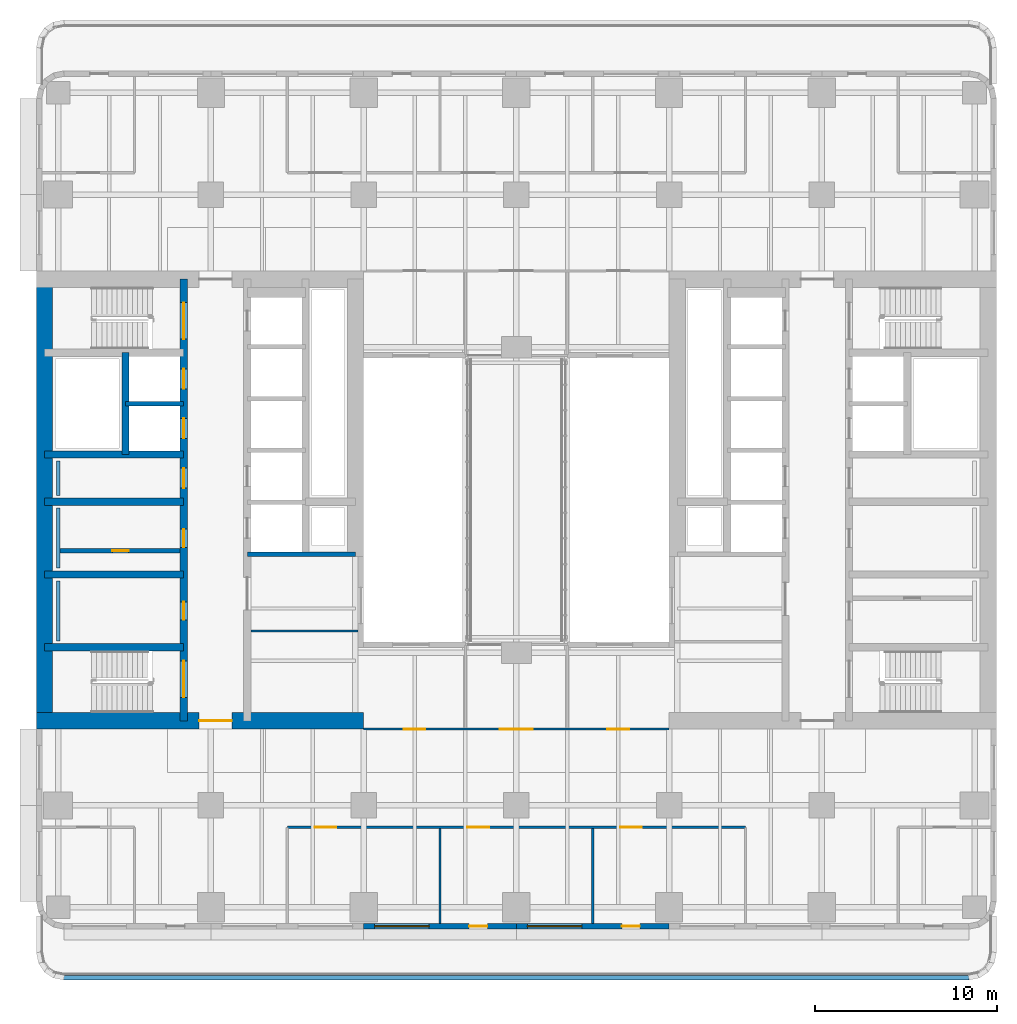
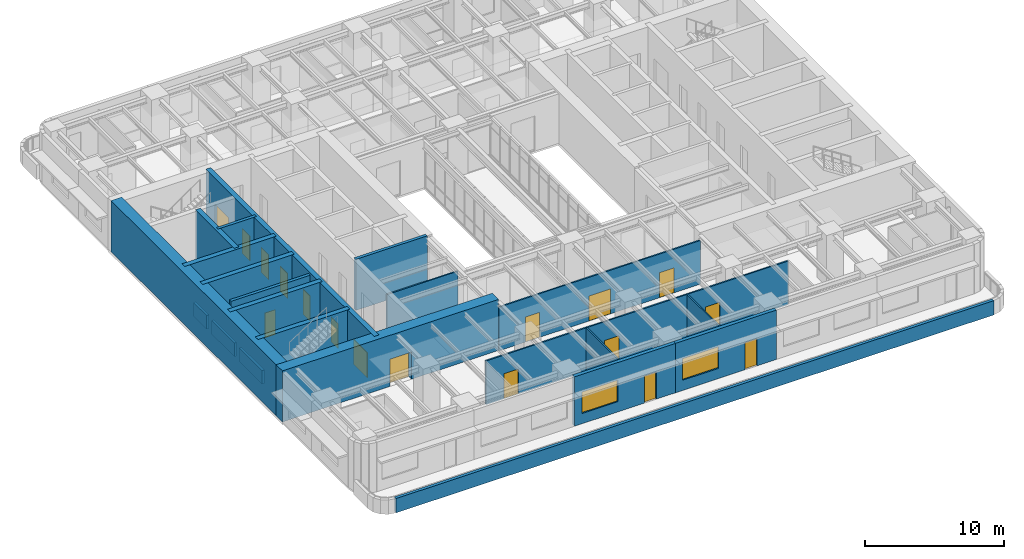
# One storey, part 8 of 17: 22 walls, 17 doors, 2 windows, 19 openings.
"""IFC4 building model written with IfcOpenShell, lengths in metres."""

import ifcopenshell
import ifcopenshell.guid

model = None  # the IFC model being written
_history = None  # IfcOwnerHistory: only IFC2X3 demands one
_inside = {}  # id of a spatial element -> (the spatial element, [elements in it])
_under = {}  # id of a project, library or spatial element -> (it, [spatial elements below it])
_declared = {}  # id of a project -> (the project, [libraries it declares])
_typed = {}  # id of a type object -> (the type object, [elements of that type])
_made_of = {}  # id of a material, layer set ... -> (it, [elements and type objects made of it])


def new_model(schema):
    """Start an empty IFC model of exactly this schema.

    Asked for "IFC4X3", IfcOpenShell would pick the latest addendum, in which some entities
    have other attributes; the version numbers below select the first issue.
    IFC2X3 requires an IfcOwnerHistory on every rooted entity: one is made here for all.
    """
    global model, _history
    if schema == "IFC4X3":
        model = ifcopenshell.file(schema_version=(4, 3, 0, 0))
    else:
        model = ifcopenshell.file(schema=schema)
    _inside.clear()
    _under.clear()
    _declared.clear()
    _typed.clear()
    _made_of.clear()
    _history = None
    if model.schema == "IFC2X3":
        org = make("IfcOrganization", Name="unknown")
        user = make(
            "IfcPersonAndOrganization",
            ThePerson=make("IfcPerson", FamilyName="unknown"),
            TheOrganization=org,
        )
        app = make(
            "IfcApplication",
            ApplicationDeveloper=org,
            Version="unknown",
            ApplicationFullName="unknown",
            ApplicationIdentifier="unknown",
        )
        _history = make(
            "IfcOwnerHistory",
            OwningUser=user,
            OwningApplication=app,
            ChangeAction="ADDED",
            CreationDate=0,
        )
    return model


def make(cls, **values):
    """One entity of the class cls with the attributes given. An attribute that is None is left unset."""
    return model.create_entity(
        cls, **{name: value for name, value in values.items() if value is not None}
    )


def rooted(cls, **values):
    """An entity with a GlobalId (a new one), such as an element, a storey or a relation."""
    return make(cls, GlobalId=ifcopenshell.guid.new(), OwnerHistory=_history, **values)


def si_unit(unit_type, name, prefix=None):
    """IfcSIUnit, for example si_unit("LENGTHUNIT", "METRE", prefix="MILLI")."""
    return make("IfcSIUnit", UnitType=unit_type, Prefix=prefix, Name=name)


def assignment(units):
    """IfcUnitAssignment: the units of a project."""
    return None if units is None else make("IfcUnitAssignment", Units=units)


def point(xyz):
    """IfcCartesianPoint."""
    return None if xyz is None else make("IfcCartesianPoint", Coordinates=xyz)


def direction(xyz):
    """IfcDirection."""
    return None if xyz is None else make("IfcDirection", DirectionRatios=xyz)


def frame(location, z_axis=None, x_axis=None):
    """IfcAxis2Placement3D, a coordinate frame: its origin and axes. An axis left out is left unset."""
    return make(
        "IfcAxis2Placement3D",
        Location=point(location),
        Axis=direction(z_axis),
        RefDirection=direction(x_axis),
    )


def frame_2d(location, x_axis=None):
    """IfcAxis2Placement2D, a coordinate frame in the plane: its origin and x axis."""
    return make(
        "IfcAxis2Placement2D", Location=point(location), RefDirection=direction(x_axis)
    )


def origin():
    """The frame at (0, 0, 0) with its axes left unset."""
    return frame((0.0, 0.0, 0.0))


def place(relative_to, where):
    """IfcLocalPlacement: puts the frame where relative to a parent placement (None: the world)."""
    return make(
        "IfcLocalPlacement", PlacementRelTo=relative_to, RelativePlacement=where
    )


def context(
    kind, dimensions, precision=None, world=None, true_north=None, identifier=None
):
    """IfcGeometricRepresentationContext, for example the 3D "Model" context."""
    return make(
        "IfcGeometricRepresentationContext",
        ContextIdentifier=identifier,
        ContextType=kind,
        CoordinateSpaceDimension=dimensions,
        Precision=precision,
        WorldCoordinateSystem=world,
        TrueNorth=true_north,
    )


def subcontext(parent, identifier, kind, view, scale=None):
    """IfcGeometricRepresentationSubContext, for example "Body" below "Model"."""
    return make(
        "IfcGeometricRepresentationSubContext",
        ContextIdentifier=identifier,
        ContextType=kind,
        ParentContext=parent,
        TargetScale=scale,
        TargetView=view,
    )


def project(units=None, contexts=None):
    """IfcProject with its units and contexts."""
    return rooted(
        "IfcProject",
        Name="project",
        RepresentationContexts=contexts,
        UnitsInContext=assignment(units),
    )


def spatial(cls, under=None, at=None, **own):
    """A site, building, storey or space (cls), placed at a placement, below another one or the project."""
    s = rooted(cls, ObjectPlacement=at, **own)
    if under is not None:
        _under.setdefault(under.id(), (under, []))[1].append(s)
    return s


def profile(cls, at=None, kind="AREA", **sizes):
    """A parametric profile (cls). Its sizes go by their IFC names, for example OverallWidth=200.0."""
    return make(cls, ProfileType=kind, Position=at, **sizes)


def rectangle(**sizes):
    """IfcRectangleProfileDef."""
    return profile("IfcRectangleProfileDef", **sizes)


def extrude(swept, where, along, depth):
    """IfcExtrudedAreaSolid: the profile swept, set in the frame where, extruded along a direction by depth."""
    return make(
        "IfcExtrudedAreaSolid",
        SweptArea=swept,
        Position=where,
        ExtrudedDirection=direction(along),
        Depth=depth,
    )


def shape(context_of_items, identifier, shape_type, items):
    """IfcShapeRepresentation: the items that make up one representation, for example the "Body"."""
    return make(
        "IfcShapeRepresentation",
        ContextOfItems=context_of_items,
        RepresentationIdentifier=identifier,
        RepresentationType=shape_type,
        Items=items,
    )


def material(Name=None, Category=None):
    """IfcMaterial."""
    return make("IfcMaterial", Name=Name, Category=Category)


def layer(
    of_material, thickness, ventilated=None, Name=None, Category=None, Priority=None
):
    """IfcMaterialLayer: one layer of a wall or slab, of a material (None: an air gap)."""
    return make(
        "IfcMaterialLayer",
        Material=of_material,
        LayerThickness=thickness,
        IsVentilated=ventilated,
        Name=Name,
        Category=Category,
        Priority=Priority,
    )


def layer_set(layers, Name=None):
    """IfcMaterialLayerSet."""
    return make("IfcMaterialLayerSet", MaterialLayers=layers, LayerSetName=Name)


def made_of(thing, what):
    """Note that an element or type object is made of a material, layer set ...; save() writes the relation."""
    if what is not None:
        _made_of.setdefault(what.id(), (what, []))[1].append(thing)
    return thing


def type_object(cls, material=None, **own):
    """A type object (cls), such as IfcWallType, which elements share."""
    return made_of(rooted(cls, **own), material)


def element(
    cls,
    number,
    at=None,
    inside=None,
    cuts=None,
    type_object=None,
    material=None,
    context=None,
    identifier="Body",
    shape_type=None,
    held_by="IfcProductDefinitionShape",
    body=None,
    shapes=None,
    **own,
):
    """One element of the class cls, such as IfcWall. Its Tag is "e" and its number.

    at: its placement. inside: the storey or other place that contains it. cuts: it is an
    opening in that element (IfcRelVoidsElement). A single representation is given by context,
    identifier, shape_type and body (its items); several are given by shapes. held_by: the class
    of the entity that holds the representations. save() writes the other relations.
    """
    e = rooted(cls, Tag="e%d" % number, ObjectPlacement=at, **own)
    if body is not None:
        shapes = [shape(context, identifier, shape_type, body)]
    if shapes is not None:
        e.Representation = make(held_by, Representations=shapes)
    if inside is not None:
        _inside.setdefault(inside.id(), (inside, []))[1].append(e)
    if cuts is not None:
        rooted(
            "IfcRelVoidsElement", RelatingBuildingElement=cuts, RelatedOpeningElement=e
        )
    if type_object is not None:
        _typed.setdefault(type_object.id(), (type_object, []))[1].append(e)
    return made_of(e, material)


def fill(opening, filler):
    """IfcRelFillsElement: the door or window that sits in an opening."""
    return rooted(
        "IfcRelFillsElement",
        RelatingOpeningElement=opening,
        RelatedBuildingElement=filler,
    )


def aggregate(whole, parts):
    """IfcRelAggregates: a whole, such as a stair, and the parts it consists of."""
    return rooted("IfcRelAggregates", RelatingObject=whole, RelatedObjects=parts)


def save(model, path):
    """Write the relations noted so far, then the file.

    IfcRelAggregates (storeys below a building ...), IfcRelContainedInSpatialStructure (elements
    in a storey), IfcRelDefinesByType, IfcRelAssociatesMaterial and IfcRelDeclares: one each for
    every whole, place, type object, material and project.
    """
    for whole, parts in _under.values():
        aggregate(whole, parts)
    for where, things in _inside.values():
        rooted(
            "IfcRelContainedInSpatialStructure",
            RelatedElements=things,
            RelatingStructure=where,
        )
    for kind, things in _typed.values():
        rooted("IfcRelDefinesByType", RelatedObjects=things, RelatingType=kind)
    for what, things in _made_of.values():
        rooted("IfcRelAssociatesMaterial", RelatedObjects=things, RelatingMaterial=what)
    for by, libraries in _declared.values():
        rooted("IfcRelDeclares", RelatingContext=by, RelatedDefinitions=libraries)
    model.write(path)


model = new_model("IFC4")

# Units and contexts
model_context = context("Model", 3, precision=1e-05, world=origin(), true_north=direction((0.0, 1.0)))
body_context = subcontext(model_context, "Body", "Model", "MODEL_VIEW")
ifc_project = project(units=[si_unit("LENGTHUNIT", "METRE"), si_unit("AREAUNIT", "SQUARE_METRE"), si_unit("VOLUMEUNIT", "CUBIC_METRE"), si_unit("PLANEANGLEUNIT", "RADIAN"), si_unit("MASSUNIT", "GRAM", prefix="KILO")], contexts=[model_context])

# Site, building, storey
site_placement = place(None, origin())
site = spatial("IfcSite", under=ifc_project, at=site_placement, CompositionType="ELEMENT")
building_placement = place(site_placement, origin())
building = spatial("IfcBuilding", under=site, at=building_placement, Name="Claustro Exchange Tower", CompositionType="ELEMENT")
storey_placement = place(building_placement, frame((0.0, 0.0, 96.300048828125)))
storey = spatial("IfcBuildingStorey", under=building, at=storey_placement, Name="L21", CompositionType="ELEMENT", Elevation=96.300048828125)

# Wall
ifc_material_1 = material(Name="Laminated glass in aluminium frame", Category="aluminium")
ifc_layer_1 = layer(ifc_material_1, 0.1201171875)
ifc_layer_set_1 = layer_set([ifc_layer_1], Name="Laminated glass in aluminium frame")
wall_type_1 = type_object("IfcWallType", Name="P2 120 glazed partition", PredefinedType="PARTITIONING", material=ifc_layer_set_1)
wall_1_placement = place(storey_placement, frame((10.597900390625, 18.0, 0.0), z_axis=(0.0, 0.0, 1.0), x_axis=(1.0, 0.0, 0.0)))
element("IfcWall", 1, at=wall_1_placement, inside=storey, type_object=wall_type_1, Name="Partition P2 L21", PredefinedType="PARTITIONING", context=body_context, shape_type="SweptSolid", body=[
    extrude(rectangle(XDim=5.904052734375, YDim=0.1201171875, at=frame_2d((2.9521484375, 0.0))), origin(), (0.0, 0.0, 1.0), 3.849853515625),
])

# Wall, openings, doors
wall_2_placement = place(storey_placement, frame((12.60009765625, 7.199951171875, 0.0), z_axis=(0.0, 0.0, 1.0), x_axis=(1.0, 0.0, 0.0)))
wall_2 = element("IfcWall", 2, at=wall_2_placement, inside=storey, type_object=wall_type_1, Name="Partition P2 L21", PredefinedType="PARTITIONING", context=body_context, shape_type="SweptSolid", body=[
    extrude(rectangle(XDim=25.199951171875, YDim=0.1201171875, at=frame_2d((12.60009765625, 0.0))), origin(), (0.0, 0.0, 1.0), 3.849853515625),
])
opening_1_placement = place(wall_2_placement, frame((1.5, 0.0, 0.0)))
opening_1 = element("IfcOpeningElement", 3, at=opening_1_placement, cuts=wall_2, Name="Opening D6", PredefinedType="OPENING", context=body_context, shape_type="SweptSolid", body=[
    extrude(rectangle(XDim=1.199951171875, YDim=2.199951171875, at=frame_2d((0.60009765625, 1.10009765625))), frame((0.0, 0.070068359375, 0.0), z_axis=(0.0, -1.0, 0.0), x_axis=(1.0, 0.0, 0.0)), (0.0, 0.0, 1.0), 0.14013671875),
])
opening_2_placement = place(wall_2_placement, frame((9.89990234375, 0.0, 0.0)))
opening_2 = element("IfcOpeningElement", 4, at=opening_2_placement, cuts=wall_2, Name="Opening D6", PredefinedType="OPENING", context=body_context, shape_type="SweptSolid", body=[
    extrude(rectangle(XDim=1.199951171875, YDim=2.199951171875, at=frame_2d((0.60009765625, 1.10009765625))), frame((0.0, 0.070068359375, 0.0), z_axis=(0.0, -1.0, 0.0), x_axis=(1.0, 0.0, 0.0)), (0.0, 0.0, 1.0), 0.14013671875),
])
opening_3_placement = place(wall_2_placement, frame((18.300048828125, 0.0, 0.0)))
opening_3 = element("IfcOpeningElement", 5, at=opening_3_placement, cuts=wall_2, Name="Opening D6", PredefinedType="OPENING", context=body_context, shape_type="SweptSolid", body=[
    extrude(rectangle(XDim=1.199951171875, YDim=2.199951171875, at=frame_2d((0.60009765625, 1.10009765625))), frame((0.0, 0.070068359375, 0.0), z_axis=(0.0, -1.0, 0.0), x_axis=(1.0, 0.0, 0.0)), (0.0, 0.0, 1.0), 0.14013671875),
])
ifc_material_2 = material(Name="Timber door, oak veneer", Category="wood")
door_type_1 = type_object("IfcDoorType", Name="D6 1200 x 2200 unequal pair door", OperationType="DOUBLE_DOOR_SINGLE_SWING_OPPOSITE_LEFT", PredefinedType="DOOR", material=ifc_material_2)
door_1_placement = place(opening_1_placement, origin())
door_1 = element("IfcDoor", 6, at=door_1_placement, inside=storey, type_object=door_type_1, Name="Door D6 L21", OperationType="DOUBLE_DOOR_SINGLE_SWING_OPPOSITE_LEFT", OverallHeight=2.199951171875, OverallWidth=1.199951171875, PredefinedType="DOOR", context=body_context, shape_type="SweptSolid", body=[
    extrude(rectangle(XDim=1.199951171875, YDim=2.199951171875, at=frame_2d((0.60009765625, 1.10009765625))), frame((0.0, 0.02490234375, 0.0), z_axis=(0.0, -1.0, 0.0), x_axis=(1.0, 0.0, 0.0)), (0.0, 0.0, 1.0), 0.050048828125),
])
fill(opening_1, door_1)
door_2_placement = place(opening_2_placement, origin())
door_2 = element("IfcDoor", 7, at=door_2_placement, inside=storey, type_object=door_type_1, Name="Door D6 L21", OperationType="DOUBLE_DOOR_SINGLE_SWING_OPPOSITE_LEFT", OverallHeight=2.199951171875, OverallWidth=1.199951171875, PredefinedType="DOOR", context=body_context, shape_type="SweptSolid", body=[
    extrude(rectangle(XDim=1.199951171875, YDim=2.199951171875, at=frame_2d((0.60009765625, 1.10009765625))), frame((0.0, 0.02490234375, 0.0), z_axis=(0.0, -1.0, 0.0), x_axis=(1.0, 0.0, 0.0)), (0.0, 0.0, 1.0), 0.050048828125),
])
fill(opening_2, door_2)
door_3_placement = place(opening_3_placement, origin())
door_3 = element("IfcDoor", 8, at=door_3_placement, inside=storey, type_object=door_type_1, Name="Door D6 L21", OperationType="DOUBLE_DOOR_SINGLE_SWING_OPPOSITE_LEFT", OverallHeight=2.199951171875, OverallWidth=1.199951171875, PredefinedType="DOOR", context=body_context, shape_type="SweptSolid", body=[
    extrude(rectangle(XDim=1.199951171875, YDim=2.199951171875, at=frame_2d((0.60009765625, 1.10009765625))), frame((0.0, 0.02490234375, 0.0), z_axis=(0.0, -1.0, 0.0), x_axis=(1.0, 0.0, 0.0)), (0.0, 0.0, 1.0), 0.050048828125),
])
fill(opening_3, door_3)

# Walls
for number, where, z_axis, x_axis, name in (
    (9, (21.0, 1.89794921875, 0.0), (0.0, 0.0, 1.0), (0.0, 1.0, 0.0), "Partition P2 L21"),
    (10, (29.39990234375, 1.89794921875, 0.0), (0.0, 0.0, 1.0), (0.0, 1.0, 0.0), "Partition P2 L21"),
):
    element("IfcWall", number, at=place(storey_placement, frame(where, z_axis=z_axis, x_axis=x_axis)), inside=storey, type_object=wall_type_1, Name=name, PredefinedType="PARTITIONING", context=body_context, shape_type="SweptSolid", body=[
        extrude(rectangle(XDim=5.244140625, YDim=0.1201171875, at=frame_2d((2.6220703125, 0.0))), origin(), (0.0, 0.0, 1.0), 3.85986328125),
    ])

# Wall, openings, doors
wall_3_placement = place(storey_placement, frame((16.800048828125, 12.60009765625, 0.0), z_axis=(0.0, 0.0, 1.0), x_axis=(1.0, 0.0, 0.0)))
wall_3 = element("IfcWall", 11, at=wall_3_placement, inside=storey, type_object=wall_type_1, Name="Partition P2 L21", PredefinedType="PARTITIONING", context=body_context, shape_type="SweptSolid", body=[
    extrude(rectangle(XDim=16.800048828125, YDim=0.1201171875, at=frame_2d((8.39990234375, 0.0))), origin(), (0.0, 0.0, 1.0), 3.849853515625),
])
opening_4_placement = place(wall_3_placement, frame((2.199951171875, 0.0, 0.0)))
opening_4 = element("IfcOpeningElement", 12, at=opening_4_placement, cuts=wall_3, Name="Opening D6", PredefinedType="OPENING", context=body_context, shape_type="SweptSolid", body=[
    extrude(rectangle(XDim=1.199951171875, YDim=2.199951171875, at=frame_2d((0.60009765625, 1.10009765625))), frame((0.0, 0.070068359375, 0.0), z_axis=(0.0, -1.0, 0.0), x_axis=(1.0, 0.0, 0.0)), (0.0, 0.0, 1.0), 0.14013671875),
])
opening_5_placement = place(wall_3_placement, frame((7.5, 0.0, 0.0)))
opening_5 = element("IfcOpeningElement", 13, at=opening_5_placement, cuts=wall_3, Name="Opening D2", PredefinedType="OPENING", context=body_context, shape_type="SweptSolid", body=[
    extrude(rectangle(XDim=1.800048828125, YDim=2.199951171875, at=frame_2d((0.89990234375, 1.10009765625))), frame((0.0, 0.070068359375, 0.0), z_axis=(0.0, -1.0, 0.0), x_axis=(1.0, 0.0, 0.0)), (0.0, 0.0, 1.0), 0.14013671875),
])
opening_6_placement = place(wall_3_placement, frame((13.39990234375, 0.0, 0.0)))
opening_6 = element("IfcOpeningElement", 14, at=opening_6_placement, cuts=wall_3, Name="Opening D6", PredefinedType="OPENING", context=body_context, shape_type="SweptSolid", body=[
    extrude(rectangle(XDim=1.199951171875, YDim=2.199951171875, at=frame_2d((0.60009765625, 1.10009765625))), frame((0.0, 0.070068359375, 0.0), z_axis=(0.0, -1.0, 0.0), x_axis=(1.0, 0.0, 0.0)), (0.0, 0.0, 1.0), 0.14013671875),
])
ifc_material_3 = material(Name="Timber door, oak veneer", Category="wood")
door_type_2 = type_object("IfcDoorType", Name="D2 1800 x 2200 double door", OperationType="DOUBLE_DOOR_SINGLE_SWING", PredefinedType="DOOR", material=ifc_material_3)
door_4_placement = place(opening_5_placement, origin())
door_4 = element("IfcDoor", 15, at=door_4_placement, inside=storey, type_object=door_type_2, Name="Double door D2 L21", OperationType="DOUBLE_DOOR_SINGLE_SWING", OverallHeight=2.199951171875, OverallWidth=1.800048828125, PredefinedType="DOOR", context=body_context, shape_type="SweptSolid", body=[
    extrude(rectangle(XDim=1.800048828125, YDim=2.199951171875, at=frame_2d((0.89990234375, 1.10009765625))), frame((0.0, 0.02490234375, 0.0), z_axis=(0.0, -1.0, 0.0), x_axis=(1.0, 0.0, 0.0)), (0.0, 0.0, 1.0), 0.050048828125),
])
fill(opening_5, door_4)
door_5_placement = place(opening_4_placement, origin())
door_5 = element("IfcDoor", 16, at=door_5_placement, inside=storey, type_object=door_type_1, Name="Door D6 L21", OperationType="DOUBLE_DOOR_SINGLE_SWING_OPPOSITE_LEFT", OverallHeight=2.199951171875, OverallWidth=1.199951171875, PredefinedType="DOOR", context=body_context, shape_type="SweptSolid", body=[
    extrude(rectangle(XDim=1.199951171875, YDim=2.199951171875, at=frame_2d((0.60009765625, 1.10009765625))), frame((0.0, 0.02490234375, 0.0), z_axis=(0.0, -1.0, 0.0), x_axis=(1.0, 0.0, 0.0)), (0.0, 0.0, 1.0), 0.050048828125),
])
fill(opening_4, door_5)
door_6_placement = place(opening_6_placement, origin())
door_6 = element("IfcDoor", 17, at=door_6_placement, inside=storey, type_object=door_type_1, Name="Door D6 L21", OperationType="DOUBLE_DOOR_SINGLE_SWING_OPPOSITE_LEFT", OverallHeight=2.199951171875, OverallWidth=1.199951171875, PredefinedType="DOOR", context=body_context, shape_type="SweptSolid", body=[
    extrude(rectangle(XDim=1.199951171875, YDim=2.199951171875, at=frame_2d((0.60009765625, 1.10009765625))), frame((0.0, 0.02490234375, 0.0), z_axis=(0.0, -1.0, 0.0), x_axis=(1.0, 0.0, 0.0)), (0.0, 0.0, 1.0), 0.050048828125),
])
fill(opening_6, door_6)

# Wall, opening, door
ifc_material_4 = material(Name="Concrete blockwork, rendered", Category="masonry")
ifc_layer_2 = layer(ifc_material_4, 0.25)
ifc_layer_set_2 = layer_set([ifc_layer_2], Name="Concrete blockwork, rendered")
wall_type_2 = type_object("IfcWallType", Name="P4 250 blockwork wall", PredefinedType="PARTITIONING", material=ifc_layer_set_2)
wall_4_placement = place(storey_placement, frame((0.10009765625, 22.39990234375, 0.0), z_axis=(0.0, 0.0, 1.0), x_axis=(1.0, 0.0, 0.0)))
wall_4 = element("IfcWall", 18, at=wall_4_placement, inside=storey, type_object=wall_type_2, Name="Partition P4 L21", PredefinedType="PARTITIONING", context=body_context, shape_type="SweptSolid", body=[
    extrude(rectangle(XDim=6.599853515625, YDim=0.25, at=frame_2d((3.2998046875, 0.0))), origin(), (0.0, 0.0, 1.0), 4.300048828125),
])
opening_7_placement = place(wall_4_placement, frame((2.875, 0.0, 0.0)))
opening_7 = element("IfcOpeningElement", 19, at=opening_7_placement, cuts=wall_4, Name="Opening D5", PredefinedType="OPENING", context=body_context, shape_type="SweptSolid", body=[
    extrude(rectangle(XDim=0.89990234375, YDim=2.199951171875, at=frame_2d((0.449951171875, 1.10009765625))), frame((0.0, 0.135009765625, 0.0), z_axis=(0.0, -1.0, 0.0), x_axis=(1.0, 0.0, 0.0)), (0.0, 0.0, 1.0), 0.27001953125),
])
ifc_material_5 = material(Name="Steel door, painted", Category="steel")
door_type_3 = type_object("IfcDoorType", Name="D5 900 x 2200 store door", OperationType="SINGLE_SWING_LEFT", PredefinedType="DOOR", material=ifc_material_5)
door_7_placement = place(opening_7_placement, frame((0.89990234375, 0.0, 0.0), z_axis=(0.0, 0.0, 1.0), x_axis=(-1.0, 0.0, 0.0)))
door_7 = element("IfcDoor", 20, at=door_7_placement, inside=storey, type_object=door_type_3, Name="Store door D5 L21", OperationType="SINGLE_SWING_RIGHT", OverallHeight=2.199951171875, OverallWidth=0.89990234375, PredefinedType="DOOR", context=body_context, shape_type="SweptSolid", body=[
    extrude(rectangle(XDim=0.89990234375, YDim=2.199951171875, at=frame_2d((0.449951171875, 1.10009765625))), frame((0.0, 0.02490234375, 0.0), z_axis=(0.0, -1.0, 0.0), x_axis=(1.0, 0.0, 0.0)), (0.0, 0.0, 1.0), 0.050048828125),
])
fill(opening_7, door_7)

# Wall, openings, door, window
ifc_material_6 = material(Name="Concrete HA-40 (C40/50), precast, white cement, acid-etched", Category="concrete")
ifc_layer_3 = layer(ifc_material_6, 0.300048828125)
ifc_layer_set_3 = layer_set([ifc_layer_3], Name="Concrete HA-40 (C40/50), precast, white cement, acid-etched")
wall_type_3 = type_object("IfcWallType", Name="PC1 300 precast concrete pier panel", PredefinedType="SOLIDWALL", material=ifc_layer_set_3)
wall_5_placement = place(storey_placement, frame((33.60009765625, 1.75, 0.0), z_axis=(0.0, 0.0, 1.0), x_axis=(-1.0, 0.0, 0.0)))
wall_5 = element("IfcWall", 21, at=wall_5_placement, inside=storey, type_object=wall_type_3, Name="Precast pier panel PC1 L21", PredefinedType="SOLIDWALL", context=body_context, shape_type="SweptSolid", body=[
    extrude(rectangle(XDim=8.400146484375, YDim=0.300048828125, at=frame_2d((4.2001953125, 0.0))), origin(), (0.0, 0.0, 1.0), 4.349853515625),
])
opening_8_placement = place(wall_5_placement, frame((4.800048828125, 0.0, 0.89990234375)))
opening_8 = element("IfcOpeningElement", 22, at=opening_8_placement, cuts=wall_5, Name="Opening W1", PredefinedType="OPENING", context=body_context, shape_type="SweptSolid", body=[
    extrude(rectangle(XDim=3.0, YDim=1.89990234375, at=frame_2d((1.5, 0.949951171875))), frame((0.0, 0.159912109375, 0.0), z_axis=(0.0, -1.0, 0.0), x_axis=(1.0, 0.0, 0.0)), (0.0, 0.0, 1.0), 0.320068359375),
])
opening_9_placement = place(wall_5_placement, frame((1.60009765625, 0.0, 0.0)))
opening_9 = element("IfcOpeningElement", 23, at=opening_9_placement, cuts=wall_5, Name="Opening D-T", PredefinedType="OPENING", context=body_context, shape_type="SweptSolid", body=[
    extrude(rectangle(XDim=1.0, YDim=2.39990234375, at=frame_2d((0.5, 1.199951171875))), frame((0.0, 0.159912109375, 0.0), z_axis=(0.0, -1.0, 0.0), x_axis=(1.0, 0.0, 0.0)), (0.0, 0.0, 1.0), 0.320068359375),
])
ifc_material_7 = material(Name="Aluminium frame, clear double glazing", Category="aluminium")
door_type_4 = type_object("IfcDoorType", Name="D-T 1000 x 2400 terrace door", OperationType="SINGLE_SWING_LEFT", PredefinedType="DOOR", material=ifc_material_7)
door_8_placement = place(opening_9_placement, origin())
door_8 = element("IfcDoor", 24, at=door_8_placement, inside=storey, type_object=door_type_4, Name="Terrace door D-T L21", OperationType="SINGLE_SWING_LEFT", OverallHeight=2.39990234375, OverallWidth=1.0, PredefinedType="DOOR", context=body_context, shape_type="SweptSolid", body=[
    extrude(rectangle(XDim=1.0, YDim=2.39990234375, at=frame_2d((0.5, 1.199951171875))), frame((0.0, 0.02490234375, 0.0), z_axis=(0.0, -1.0, 0.0), x_axis=(1.0, 0.0, 0.0)), (0.0, 0.0, 1.0), 0.050048828125),
])
fill(opening_9, door_8)
ifc_material_8 = material(Name="Aluminium frame, clear double glazing", Category="aluminium")
window_type = type_object("IfcWindowType", Name="W1 3000 x 1900 window", PartitioningType="SINGLE_PANEL", PredefinedType="WINDOW", material=ifc_material_8)
window_1_placement = place(opening_8_placement, origin())
window_1 = element("IfcWindow", 25, at=window_1_placement, inside=storey, type_object=window_type, Name="Window W1 L21", OverallHeight=1.89990234375, OverallWidth=3.0, PartitioningType="SINGLE_PANEL", PredefinedType="WINDOW", context=body_context, shape_type="SweptSolid", body=[
    extrude(rectangle(XDim=3.0, YDim=1.89990234375, at=frame_2d((1.5, 0.949951171875))), frame((0.0, 0.030029296875, 0.0), z_axis=(0.0, -1.0, 0.0), x_axis=(1.0, 0.0, 0.0)), (0.0, 0.0, 1.0), 0.06005859375),
])
fill(opening_8, window_1)

wall_6_placement = place(storey_placement, frame((25.199951171875, 1.75, 0.0), z_axis=(0.0, 0.0, 1.0), x_axis=(-1.0, 0.0, 0.0)))
wall_6 = element("IfcWall", 26, at=wall_6_placement, inside=storey, type_object=wall_type_3, Name="Precast pier panel PC1 L21", PredefinedType="SOLIDWALL", context=body_context, shape_type="SweptSolid", body=[
    extrude(rectangle(XDim=8.39990234375, YDim=0.300048828125, at=frame_2d((4.199951171875, 0.0))), origin(), (0.0, 0.0, 1.0), 4.349853515625),
])
opening_10_placement = place(wall_6_placement, frame((4.800048828125, 0.0, 0.89990234375)))
opening_10 = element("IfcOpeningElement", 27, at=opening_10_placement, cuts=wall_6, Name="Opening W1", PredefinedType="OPENING", context=body_context, shape_type="SweptSolid", body=[
    extrude(rectangle(XDim=3.0, YDim=1.89990234375, at=frame_2d((1.5, 0.949951171875))), frame((0.0, 0.159912109375, 0.0), z_axis=(0.0, -1.0, 0.0), x_axis=(1.0, 0.0, 0.0)), (0.0, 0.0, 1.0), 0.320068359375),
])
opening_11_placement = place(wall_6_placement, frame((1.60009765625, 0.0, 0.0)))
opening_11 = element("IfcOpeningElement", 28, at=opening_11_placement, cuts=wall_6, Name="Opening D-T", PredefinedType="OPENING", context=body_context, shape_type="SweptSolid", body=[
    extrude(rectangle(XDim=1.0, YDim=2.39990234375, at=frame_2d((0.5, 1.199951171875))), frame((0.0, 0.159912109375, 0.0), z_axis=(0.0, -1.0, 0.0), x_axis=(1.0, 0.0, 0.0)), (0.0, 0.0, 1.0), 0.320068359375),
])
door_9_placement = place(opening_11_placement, origin())
door_9 = element("IfcDoor", 29, at=door_9_placement, inside=storey, type_object=door_type_4, Name="Terrace door D-T L21", OperationType="SINGLE_SWING_RIGHT", OverallHeight=2.39990234375, OverallWidth=1.0, PredefinedType="DOOR", context=body_context, shape_type="SweptSolid", body=[
    extrude(rectangle(XDim=1.0, YDim=2.39990234375, at=frame_2d((0.5, 1.199951171875))), frame((0.0, 0.02490234375, 0.0), z_axis=(0.0, -1.0, 0.0), x_axis=(1.0, 0.0, 0.0)), (0.0, 0.0, 1.0), 0.050048828125),
])
fill(opening_11, door_9)
window_2_placement = place(opening_10_placement, origin())
window_2 = element("IfcWindow", 30, at=window_2_placement, inside=storey, type_object=window_type, Name="Window W1 L21", OverallHeight=1.89990234375, OverallWidth=3.0, PartitioningType="SINGLE_PANEL", PredefinedType="WINDOW", context=body_context, shape_type="SweptSolid", body=[
    extrude(rectangle(XDim=3.0, YDim=1.89990234375, at=frame_2d((1.5, 0.949951171875))), frame((0.0, 0.030029296875, 0.0), z_axis=(0.0, -1.0, 0.0), x_axis=(1.0, 0.0, 0.0)), (0.0, 0.0, 1.0), 0.06005859375),
])
fill(opening_10, window_2)

# Walls
ifc_material_9 = material(Name="Concrete HA-40 (C40/50), precast, white cement, acid-etched", Category="concrete")
ifc_layer_4 = layer(ifc_material_9, 0.25)
ifc_layer_set_4 = layer_set([ifc_layer_4], Name="Concrete HA-40 (C40/50), precast, white cement, acid-etched")
wall_type_4 = type_object("IfcWallType", Name="PP1 250 precast concrete parapet", PredefinedType="PARAPET", material=ifc_layer_set_4)
wall_7_placement = place(storey_placement, frame((50.10009765625, -1.074951171875, -0.16015625), z_axis=(0.0, 0.0, 1.0), x_axis=(-1.0, 0.0, 0.0)))
element("IfcWall", 31, at=wall_7_placement, inside=storey, type_object=wall_type_4, Name="Parapet PP1 roof at +96.140", PredefinedType="PARAPET", context=body_context, shape_type="SweptSolid", body=[
    extrude(rectangle(XDim=49.800048828125, YDim=0.25, at=frame_2d((24.89990234375, 0.0))), origin(), (0.0, 0.0, 1.0), 1.260009765625),
])
ifc_material_10 = material(Name="Gypsum board on steel studs, tiled", Category="steel")
ifc_layer_5 = layer(ifc_material_10, 0.199951171875)
ifc_layer_set_5 = layer_set([ifc_layer_5], Name="Gypsum board on steel studs, tiled")
wall_type_5 = type_object("IfcWallType", Name="PW1 200 WC duct wall", PredefinedType="PLUMBINGWALL", material=ifc_layer_set_5)
for number, where, z_axis, x_axis, name in (
    (32, (0.0, 17.449951171875, 0.0), (0.0, 0.0, 1.0), (0.0, 1.0, 0.0), "WC duct wall PW1 L21"),
    (33, (0.0, 21.449951171875, 0.0), (0.0, 0.0, 1.0), (0.0, 1.0, 0.0), "WC duct wall PW1 L21"),
):
    element("IfcWall", number, at=place(storey_placement, frame(where, z_axis=z_axis, x_axis=x_axis)), inside=storey, type_object=wall_type_5, Name=name, PredefinedType="PLUMBINGWALL", context=body_context, shape_type="SweptSolid", body=[
        extrude(rectangle(XDim=3.300048828125, YDim=0.199951171875, at=frame_2d((1.64990234375, 0.0))), origin(), (0.0, 0.0, 1.0), 1.199951171875),
    ])
wall_8_placement = place(storey_placement, frame((0.0, 25.449951171875, 0.0), z_axis=(0.0, 0.0, 1.0), x_axis=(0.0, 1.0, 0.0)))
element("IfcWall", 34, at=wall_8_placement, inside=storey, type_object=wall_type_5, Name="WC duct wall PW1 L21", PredefinedType="PLUMBINGWALL", context=body_context, shape_type="SweptSolid", body=[
    extrude(rectangle(XDim=1.900146484375, YDim=0.199951171875, at=frame_2d((0.9501953125, 0.0))), origin(), (0.0, 0.0, 1.0), 1.199951171875),
])

# Wall, opening, door
ifc_material_11 = material(Name="Concrete HA-70 (C70/85)", Category="concrete")
ifc_layer_6 = layer(ifc_material_11, 0.89990234375)
ifc_layer_set_6 = layer_set([ifc_layer_6], Name="Concrete HA-70 (C70/85)")
wall_type_6 = type_object("IfcWallType", Name="SW1 900 core shear wall", PredefinedType="SHEAR", material=ifc_layer_set_6)
wall_9_placement = place(storey_placement, frame((-1.199951171875, 13.050048828125, 0.0), z_axis=(0.0, 0.0, 1.0), x_axis=(1.0, 0.0, 0.0)))
wall_9 = element("IfcWall", 35, at=wall_9_placement, inside=storey, type_object=wall_type_6, Name="Core wall SW1 W core S face L21", PredefinedType="SHEAR", context=body_context, shape_type="SweptSolid", body=[
    extrude(rectangle(XDim=18.0, YDim=0.89990234375, at=frame_2d((9.0, 0.0))), origin(), (0.0, 0.0, 1.0), 4.5),
])
opening_12_placement = place(wall_9_placement, frame((8.949951171875, 0.0, 0.0)))
opening_12 = element("IfcOpeningElement", 36, at=opening_12_placement, cuts=wall_9, Name="Opening D3", PredefinedType="OPENING", context=body_context, shape_type="SweptSolid", body=[
    extrude(rectangle(XDim=1.800048828125, YDim=2.39990234375, at=frame_2d((0.89990234375, 1.199951171875))), frame((0.0, 0.4599609375, 0.0), z_axis=(0.0, -1.0, 0.0), x_axis=(1.0, 0.0, 0.0)), (0.0, 0.0, 1.0), 0.919921875),
])
ifc_material_12 = material(Name="Steel fire door, painted", Category="steel")
door_type_5 = type_object("IfcDoorType", Name="D3 1800 x 2400 fire-rated lobby double door", OperationType="DOUBLE_DOOR_SINGLE_SWING", PredefinedType="DOOR", material=ifc_material_12)
door_10_placement = place(opening_12_placement, origin())
door_10 = element("IfcDoor", 37, at=door_10_placement, inside=storey, type_object=door_type_5, Name="Lift lobby door D3 L21", OperationType="DOUBLE_DOOR_SINGLE_SWING", OverallHeight=2.39990234375, OverallWidth=1.800048828125, PredefinedType="DOOR", context=body_context, shape_type="SweptSolid", body=[
    extrude(rectangle(XDim=1.800048828125, YDim=2.39990234375, at=frame_2d((0.89990234375, 1.199951171875))), frame((0.0, 0.02490234375, 0.0), z_axis=(0.0, -1.0, 0.0), x_axis=(1.0, 0.0, 0.0)), (0.0, 0.0, 1.0), 0.050048828125),
])
fill(opening_12, door_10)

# Wall
ifc_material_13 = material(Name="Concrete HA-70 (C70/85)", Category="concrete")
ifc_layer_7 = layer(ifc_material_13, 0.89990234375)
ifc_layer_set_7 = layer_set([ifc_layer_7], Name="Concrete HA-70 (C70/85)")
wall_type_7 = type_object("IfcWallType", Name="SW1X 900 exposed core shear wall, board-marked face", PredefinedType="SHEAR", material=ifc_layer_set_7)
wall_10_placement = place(storey_placement, frame((-0.75, 13.050048828125, 0.0), z_axis=(0.0, 0.0, 1.0), x_axis=(0.0, 1.0, 0.0)))
element("IfcWall", 38, at=wall_10_placement, inside=storey, type_object=wall_type_7, Name="Core wall SW1X W core W face L21", PredefinedType="SHEAR", context=body_context, shape_type="SweptSolid", body=[
    extrude(rectangle(XDim=24.300048828125, YDim=0.89990234375, at=frame_2d((12.14990234375, 0.0))), origin(), (0.0, 0.0, 1.0), 4.5),
])

# Wall, openings, doors
ifc_material_14 = material(Name="Concrete HA-50 (C50/60)", Category="concrete")
ifc_layer_8 = layer(ifc_material_14, 0.39990234375)
ifc_layer_set_8 = layer_set([ifc_layer_8], Name="Concrete HA-50 (C50/60)")
wall_type_8 = type_object("IfcWallType", Name="SW4 400 internal core wall", PredefinedType="SHEAR", material=ifc_layer_set_8)
wall_11_placement = place(storey_placement, frame((6.89990234375, 13.050048828125, 0.0), z_axis=(0.0, 0.0, 1.0), x_axis=(0.0, 1.0, 0.0)))
wall_11 = element("IfcWall", 39, at=wall_11_placement, inside=storey, type_object=wall_type_8, Name="Internal core wall SW4 W core L21", PredefinedType="SHEAR", context=body_context, shape_type="SweptSolid", body=[
    extrude(rectangle(XDim=24.300048828125, YDim=0.39990234375, at=frame_2d((12.14990234375, 0.0))), origin(), (0.0, 0.0, 1.0), 4.5),
])
opening_13_placement = place(wall_11_placement, frame((1.300048828125, 0.0, 0.0)))
opening_13 = element("IfcOpeningElement", 40, at=opening_13_placement, cuts=wall_11, Name="Opening D11", PredefinedType="OPENING", context=body_context, shape_type="SweptSolid", body=[
    extrude(rectangle(XDim=2.0, YDim=2.199951171875, at=frame_2d((1.0, 1.10009765625))), frame((0.0, 0.2099609375, 0.0), z_axis=(0.0, -1.0, 0.0), x_axis=(1.0, 0.0, 0.0)), (0.0, 0.0, 1.0), 0.419921875),
])
opening_14_placement = place(wall_11_placement, frame((21.0, 0.0, 0.0)))
opening_14 = element("IfcOpeningElement", 41, at=opening_14_placement, cuts=wall_11, Name="Opening D11", PredefinedType="OPENING", context=body_context, shape_type="SweptSolid", body=[
    extrude(rectangle(XDim=2.0, YDim=2.199951171875, at=frame_2d((1.0, 1.10009765625))), frame((0.0, 0.2099609375, 0.0), z_axis=(0.0, -1.0, 0.0), x_axis=(1.0, 0.0, 0.0)), (0.0, 0.0, 1.0), 0.419921875),
])
opening_15_placement = place(wall_11_placement, frame((5.550048828125, 0.0, 0.0)))
opening_15 = element("IfcOpeningElement", 42, at=opening_15_placement, cuts=wall_11, Name="Opening D1", PredefinedType="OPENING", context=body_context, shape_type="SweptSolid", body=[
    extrude(rectangle(XDim=1.0, YDim=2.199951171875, at=frame_2d((0.5, 1.10009765625))), frame((0.0, 0.2099609375, 0.0), z_axis=(0.0, -1.0, 0.0), x_axis=(1.0, 0.0, 0.0)), (0.0, 0.0, 1.0), 0.419921875),
])
opening_16_placement = place(wall_11_placement, frame((9.550048828125, 0.0, 0.0)))
opening_16 = element("IfcOpeningElement", 43, at=opening_16_placement, cuts=wall_11, Name="Opening D1", PredefinedType="OPENING", context=body_context, shape_type="SweptSolid", body=[
    extrude(rectangle(XDim=1.0, YDim=2.199951171875, at=frame_2d((0.5, 1.10009765625))), frame((0.0, 0.2099609375, 0.0), z_axis=(0.0, -1.0, 0.0), x_axis=(1.0, 0.0, 0.0)), (0.0, 0.0, 1.0), 0.419921875),
])
opening_17_placement = place(wall_11_placement, frame((12.800048828125, 0.0, 0.0)))
opening_17 = element("IfcOpeningElement", 44, at=opening_17_placement, cuts=wall_11, Name="Opening D10", PredefinedType="OPENING", context=body_context, shape_type="SweptSolid", body=[
    extrude(rectangle(XDim=1.10009765625, YDim=2.199951171875, at=frame_2d((0.550048828125, 1.10009765625))), frame((0.0, 0.2099609375, 0.0), z_axis=(0.0, -1.0, 0.0), x_axis=(1.0, 0.0, 0.0)), (0.0, 0.0, 1.0), 0.419921875),
])
opening_18_placement = place(wall_11_placement, frame((15.53759765625, 0.0, 0.0)))
opening_18 = element("IfcOpeningElement", 45, at=opening_18_placement, cuts=wall_11, Name="Opening LD", PredefinedType="OPENING", context=body_context, shape_type="SweptSolid", body=[
    extrude(rectangle(XDim=1.10009765625, YDim=2.199951171875, at=frame_2d((0.550048828125, 1.10009765625))), frame((0.0, 0.2099609375, 0.0), z_axis=(0.0, -1.0, 0.0), x_axis=(1.0, 0.0, 0.0)), (0.0, 0.0, 1.0), 0.419921875),
])
opening_19_placement = place(wall_11_placement, frame((18.262451171875, 0.0, 0.0)))
opening_19 = element("IfcOpeningElement", 46, at=opening_19_placement, cuts=wall_11, Name="Opening LD", PredefinedType="OPENING", context=body_context, shape_type="SweptSolid", body=[
    extrude(rectangle(XDim=1.10009765625, YDim=2.199951171875, at=frame_2d((0.550048828125, 1.10009765625))), frame((0.0, 0.2099609375, 0.0), z_axis=(0.0, -1.0, 0.0), x_axis=(1.0, 0.0, 0.0)), (0.0, 0.0, 1.0), 0.419921875),
])
ifc_material_15 = material(Name="Timber door, oak veneer", Category="wood")
door_type_6 = type_object("IfcDoorType", Name="D1 1000 x 2200 single door", OperationType="SINGLE_SWING_LEFT", PredefinedType="DOOR", material=ifc_material_15)
door_11_placement = place(opening_15_placement, origin())
door_11 = element("IfcDoor", 47, at=door_11_placement, inside=storey, type_object=door_type_6, Name="Door D1 L21", OperationType="SINGLE_SWING_RIGHT", OverallHeight=2.199951171875, OverallWidth=1.0, PredefinedType="DOOR", context=body_context, shape_type="SweptSolid", body=[
    extrude(rectangle(XDim=1.0, YDim=2.199951171875, at=frame_2d((0.5, 1.10009765625))), frame((0.0, 0.02490234375, 0.0), z_axis=(0.0, -1.0, 0.0), x_axis=(1.0, 0.0, 0.0)), (0.0, 0.0, 1.0), 0.050048828125),
])
fill(opening_15, door_11)
door_12_placement = place(opening_16_placement, origin())
door_12 = element("IfcDoor", 48, at=door_12_placement, inside=storey, type_object=door_type_6, Name="Door D1 L21", OperationType="SINGLE_SWING_LEFT", OverallHeight=2.199951171875, OverallWidth=1.0, PredefinedType="DOOR", context=body_context, shape_type="SweptSolid", body=[
    extrude(rectangle(XDim=1.0, YDim=2.199951171875, at=frame_2d((0.5, 1.10009765625))), frame((0.0, 0.02490234375, 0.0), z_axis=(0.0, -1.0, 0.0), x_axis=(1.0, 0.0, 0.0)), (0.0, 0.0, 1.0), 0.050048828125),
])
fill(opening_16, door_12)
ifc_material_16 = material(Name="Timber door, oak veneer", Category="wood")
door_type_7 = type_object("IfcDoorType", Name="D10 1100 x 2200 accessible WC door", OperationType="SINGLE_SWING_LEFT", PredefinedType="DOOR", material=ifc_material_16)
door_13_placement = place(opening_17_placement, frame((1.10009765625, 0.0, 0.0), z_axis=(0.0, 0.0, 1.0), x_axis=(-1.0, 0.0, 0.0)))
door_13 = element("IfcDoor", 49, at=door_13_placement, inside=storey, type_object=door_type_7, Name="Accessible WC door D10 L21", OperationType="SINGLE_SWING_LEFT", OverallHeight=2.199951171875, OverallWidth=1.10009765625, PredefinedType="DOOR", context=body_context, shape_type="SweptSolid", body=[
    extrude(rectangle(XDim=1.10009765625, YDim=2.199951171875, at=frame_2d((0.550048828125, 1.10009765625))), frame((0.0, 0.02490234375, 0.0), z_axis=(0.0, -1.0, 0.0), x_axis=(1.0, 0.0, 0.0)), (0.0, 0.0, 1.0), 0.050048828125),
])
fill(opening_17, door_13)
ifc_material_17 = material(Name="Steel fire door, painted", Category="steel")
door_type_8 = type_object("IfcDoorType", Name="D11 2000 x 2200 fire-rated stair double door", OperationType="DOUBLE_DOOR_SINGLE_SWING", PredefinedType="DOOR", material=ifc_material_17)
door_14_placement = place(opening_13_placement, origin())
door_14 = element("IfcDoor", 50, at=door_14_placement, inside=storey, type_object=door_type_8, Name="Stair door D11 L21", OperationType="DOUBLE_DOOR_SINGLE_SWING", OverallHeight=2.199951171875, OverallWidth=2.0, PredefinedType="DOOR", context=body_context, shape_type="SweptSolid", body=[
    extrude(rectangle(XDim=2.0, YDim=2.199951171875, at=frame_2d((1.0, 1.10009765625))), frame((0.0, 0.02490234375, 0.0), z_axis=(0.0, -1.0, 0.0), x_axis=(1.0, 0.0, 0.0)), (0.0, 0.0, 1.0), 0.050048828125),
])
fill(opening_13, door_14)
door_15_placement = place(opening_14_placement, origin())
door_15 = element("IfcDoor", 51, at=door_15_placement, inside=storey, type_object=door_type_8, Name="Stair door D11 L21", OperationType="DOUBLE_DOOR_SINGLE_SWING", OverallHeight=2.199951171875, OverallWidth=2.0, PredefinedType="DOOR", context=body_context, shape_type="SweptSolid", body=[
    extrude(rectangle(XDim=2.0, YDim=2.199951171875, at=frame_2d((1.0, 1.10009765625))), frame((0.0, 0.02490234375, 0.0), z_axis=(0.0, -1.0, 0.0), x_axis=(1.0, 0.0, 0.0)), (0.0, 0.0, 1.0), 0.050048828125),
])
fill(opening_14, door_15)
ifc_material_18 = material(Name="Stainless steel sliding door", Category="steel")
door_type_9 = type_object("IfcDoorType", Name="LD 1100 x 2200 lift landing door", OperationType="DOUBLE_DOOR_SLIDING", PredefinedType="DOOR", material=ifc_material_18)
door_16_placement = place(opening_18_placement, origin())
door_16 = element("IfcDoor", 52, at=door_16_placement, inside=storey, type_object=door_type_9, Name="Lift landing door LEW1 LD L21", OperationType="DOUBLE_DOOR_SLIDING", OverallHeight=2.199951171875, OverallWidth=1.10009765625, PredefinedType="DOOR", context=body_context, shape_type="SweptSolid", body=[
    extrude(rectangle(XDim=1.10009765625, YDim=2.199951171875, at=frame_2d((0.550048828125, 1.10009765625))), frame((0.0, 0.02490234375, 0.0), z_axis=(0.0, -1.0, 0.0), x_axis=(1.0, 0.0, 0.0)), (0.0, 0.0, 1.0), 0.050048828125),
])
fill(opening_18, door_16)
door_17_placement = place(opening_19_placement, origin())
door_17 = element("IfcDoor", 53, at=door_17_placement, inside=storey, type_object=door_type_9, Name="Lift landing door LEW2 LD L21", OperationType="DOUBLE_DOOR_SLIDING", OverallHeight=2.199951171875, OverallWidth=1.10009765625, PredefinedType="DOOR", context=body_context, shape_type="SweptSolid", body=[
    extrude(rectangle(XDim=1.10009765625, YDim=2.199951171875, at=frame_2d((0.550048828125, 1.10009765625))), frame((0.0, 0.02490234375, 0.0), z_axis=(0.0, -1.0, 0.0), x_axis=(1.0, 0.0, 0.0)), (0.0, 0.0, 1.0), 0.050048828125),
])
fill(opening_19, door_17)

# Walls
for number, where, z_axis, x_axis, name in (
    (54, (-0.75, 17.10009765625, 0.0), (0.0, 0.0, 1.0), (1.0, 0.0, 0.0), "Internal core wall SW4 W core L21"),
    (55, (-0.75, 21.10009765625, 0.0), (0.0, 0.0, 1.0), (1.0, 0.0, 0.0), "Internal core wall SW4 W core L21"),
    (56, (-0.75, 25.10009765625, 0.0), (0.0, 0.0, 1.0), (1.0, 0.0, 0.0), "Internal core wall SW4 W core L21"),
    (57, (-0.75, 27.699951171875, 0.0), (0.0, 0.0, 1.0), (1.0, 0.0, 0.0), "Internal core wall SW4 W core L21"),
):
    element("IfcWall", number, at=place(storey_placement, frame(where, z_axis=z_axis, x_axis=x_axis)), inside=storey, type_object=wall_type_8, Name=name, PredefinedType="SHEAR", context=body_context, shape_type="SweptSolid", body=[
        extrude(rectangle(XDim=7.64990234375, YDim=0.39990234375, at=frame_2d((3.824951171875, 0.0))), origin(), (0.0, 0.0, 1.0), 4.5),
    ])
wall_12_placement = place(storey_placement, frame((3.699951171875, 27.699951171875, 0.0), z_axis=(0.0, 0.0, 1.0), x_axis=(0.0, 1.0, 0.0)))
element("IfcWall", 58, at=wall_12_placement, inside=storey, type_object=wall_type_8, Name="Internal core wall SW4 W core L21", PredefinedType="SHEAR", context=body_context, shape_type="SweptSolid", body=[
    extrude(rectangle(XDim=5.60009765625, YDim=0.39990234375, at=frame_2d((2.800048828125, 0.0))), origin(), (0.0, 0.0, 1.0), 4.5),
])
ifc_material_19 = material(Name="Concrete HA-50 (C50/60)", Category="concrete")
ifc_layer_9 = layer(ifc_material_19, 0.25)
ifc_layer_set_9 = layer_set([ifc_layer_9], Name="Concrete HA-50 (C50/60)")
wall_type_9 = type_object("IfcWallType", Name="SW5 250 lift shaft divider wall", PredefinedType="SHEAR", material=ifc_layer_set_9)
wall_13_placement = place(storey_placement, frame((3.699951171875, 30.5, 0.0), z_axis=(0.0, 0.0, 1.0), x_axis=(1.0, 0.0, 0.0)))
element("IfcWall", 59, at=wall_13_placement, inside=storey, type_object=wall_type_9, Name="Lift shaft wall W core L21", PredefinedType="SHEAR", context=body_context, shape_type="SweptSolid", body=[
    extrude(rectangle(XDim=3.199951171875, YDim=0.25, at=frame_2d((1.60009765625, 0.0))), origin(), (0.0, 0.0, 1.0), 4.5),
])
wall_14_placement = place(storey_placement, frame((10.39990234375, 22.22509765625, 0.0), z_axis=(0.0, 0.0, 1.0), x_axis=(1.0, 0.0, 0.0)))
element("IfcWall", 60, at=wall_14_placement, inside=storey, type_object=wall_type_9, Name="Core step wall W core L21", PredefinedType="SHEAR", context=body_context, shape_type="SweptSolid", body=[
    extrude(rectangle(XDim=5.9501953125, YDim=0.25, at=frame_2d((2.97509765625, 0.0))), origin(), (0.0, 0.0, 1.0), 4.5),
])

save(model, "model.ifc")
